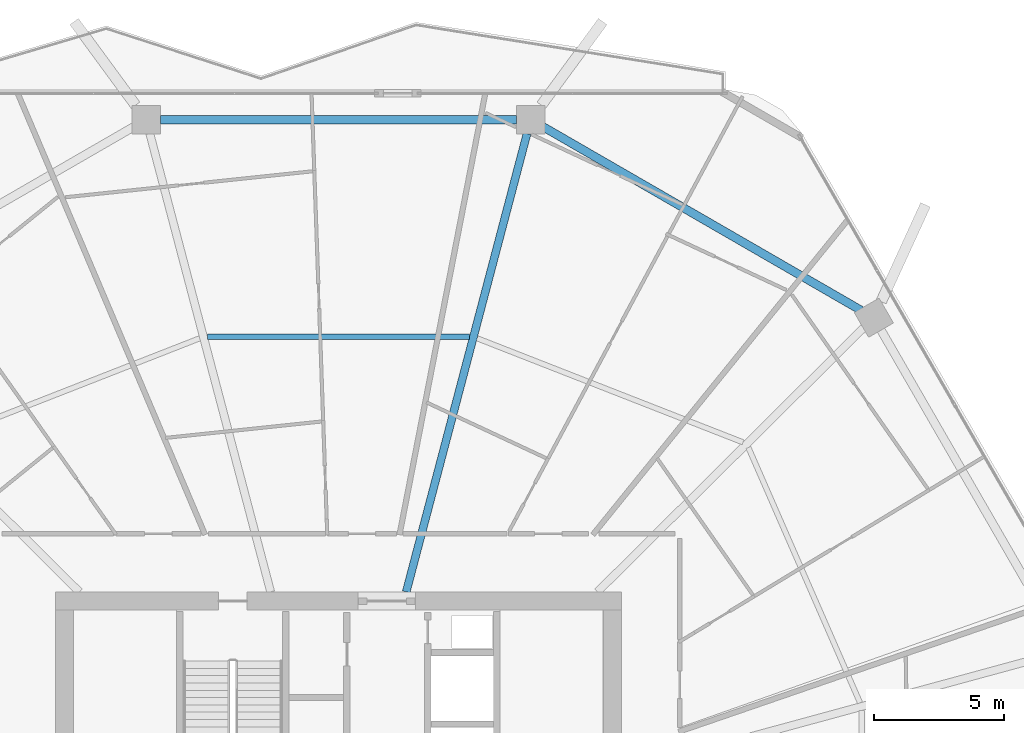
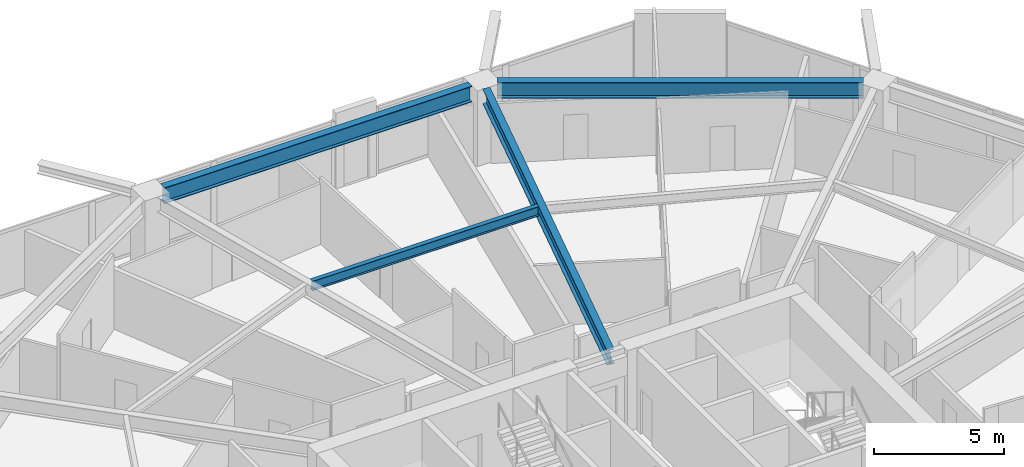
# One storey, part 19 of 33: 4 beams.
"""IFC4 building model written with IfcOpenShell, lengths in metres."""

import ifcopenshell
import ifcopenshell.guid

model = None  # the IFC model being written
_history = None  # IfcOwnerHistory: only IFC2X3 demands one
_inside = {}  # id of a spatial element -> (the spatial element, [elements in it])
_under = {}  # id of a project, library or spatial element -> (it, [spatial elements below it])
_declared = {}  # id of a project -> (the project, [libraries it declares])
_typed = {}  # id of a type object -> (the type object, [elements of that type])
_made_of = {}  # id of a material, layer set ... -> (it, [elements and type objects made of it])


def new_model(schema):
    """Start an empty IFC model of exactly this schema.

    Asked for "IFC4X3", IfcOpenShell would pick the latest addendum, in which some entities
    have other attributes; the version numbers below select the first issue.
    IFC2X3 requires an IfcOwnerHistory on every rooted entity: one is made here for all.
    """
    global model, _history
    if schema == "IFC4X3":
        model = ifcopenshell.file(schema_version=(4, 3, 0, 0))
    else:
        model = ifcopenshell.file(schema=schema)
    _inside.clear()
    _under.clear()
    _declared.clear()
    _typed.clear()
    _made_of.clear()
    _history = None
    if model.schema == "IFC2X3":
        org = make("IfcOrganization", Name="unknown")
        user = make(
            "IfcPersonAndOrganization",
            ThePerson=make("IfcPerson", FamilyName="unknown"),
            TheOrganization=org,
        )
        app = make(
            "IfcApplication",
            ApplicationDeveloper=org,
            Version="unknown",
            ApplicationFullName="unknown",
            ApplicationIdentifier="unknown",
        )
        _history = make(
            "IfcOwnerHistory",
            OwningUser=user,
            OwningApplication=app,
            ChangeAction="ADDED",
            CreationDate=0,
        )
    return model


def make(cls, **values):
    """One entity of the class cls with the attributes given. An attribute that is None is left unset."""
    return model.create_entity(
        cls, **{name: value for name, value in values.items() if value is not None}
    )


def rooted(cls, **values):
    """An entity with a GlobalId (a new one), such as an element, a storey or a relation."""
    return make(cls, GlobalId=ifcopenshell.guid.new(), OwnerHistory=_history, **values)


def si_unit(unit_type, name, prefix=None):
    """IfcSIUnit, for example si_unit("LENGTHUNIT", "METRE", prefix="MILLI")."""
    return make("IfcSIUnit", UnitType=unit_type, Prefix=prefix, Name=name)


def assignment(units):
    """IfcUnitAssignment: the units of a project."""
    return None if units is None else make("IfcUnitAssignment", Units=units)


def point(xyz):
    """IfcCartesianPoint."""
    return None if xyz is None else make("IfcCartesianPoint", Coordinates=xyz)


def direction(xyz):
    """IfcDirection."""
    return None if xyz is None else make("IfcDirection", DirectionRatios=xyz)


def frame(location, z_axis=None, x_axis=None):
    """IfcAxis2Placement3D, a coordinate frame: its origin and axes. An axis left out is left unset."""
    return make(
        "IfcAxis2Placement3D",
        Location=point(location),
        Axis=direction(z_axis),
        RefDirection=direction(x_axis),
    )


def frame_2d(location, x_axis=None):
    """IfcAxis2Placement2D, a coordinate frame in the plane: its origin and x axis."""
    return make(
        "IfcAxis2Placement2D", Location=point(location), RefDirection=direction(x_axis)
    )


def origin():
    """The frame at (0, 0, 0) with its axes left unset."""
    return frame((0.0, 0.0, 0.0))


def origin_2d():
    """The frame at (0, 0) in the plane with its x axis left unset."""
    return frame_2d((0.0, 0.0))


def place(relative_to, where):
    """IfcLocalPlacement: puts the frame where relative to a parent placement (None: the world)."""
    return make(
        "IfcLocalPlacement", PlacementRelTo=relative_to, RelativePlacement=where
    )


def context(
    kind, dimensions, precision=None, world=None, true_north=None, identifier=None
):
    """IfcGeometricRepresentationContext, for example the 3D "Model" context."""
    return make(
        "IfcGeometricRepresentationContext",
        ContextIdentifier=identifier,
        ContextType=kind,
        CoordinateSpaceDimension=dimensions,
        Precision=precision,
        WorldCoordinateSystem=world,
        TrueNorth=true_north,
    )


def subcontext(parent, identifier, kind, view, scale=None):
    """IfcGeometricRepresentationSubContext, for example "Body" below "Model"."""
    return make(
        "IfcGeometricRepresentationSubContext",
        ContextIdentifier=identifier,
        ContextType=kind,
        ParentContext=parent,
        TargetScale=scale,
        TargetView=view,
    )


def project(units=None, contexts=None):
    """IfcProject with its units and contexts."""
    return rooted(
        "IfcProject",
        Name="project",
        RepresentationContexts=contexts,
        UnitsInContext=assignment(units),
    )


def spatial(cls, under=None, at=None, **own):
    """A site, building, storey or space (cls), placed at a placement, below another one or the project."""
    s = rooted(cls, ObjectPlacement=at, **own)
    if under is not None:
        _under.setdefault(under.id(), (under, []))[1].append(s)
    return s


def profile(cls, at=None, kind="AREA", **sizes):
    """A parametric profile (cls). Its sizes go by their IFC names, for example OverallWidth=200.0."""
    return make(cls, ProfileType=kind, Position=at, **sizes)


def i_section(**sizes):
    """IfcIShapeProfileDef."""
    return profile("IfcIShapeProfileDef", **sizes)


def extrude(swept, where, along, depth):
    """IfcExtrudedAreaSolid: the profile swept, set in the frame where, extruded along a direction by depth."""
    return make(
        "IfcExtrudedAreaSolid",
        SweptArea=swept,
        Position=where,
        ExtrudedDirection=direction(along),
        Depth=depth,
    )


def shape(context_of_items, identifier, shape_type, items):
    """IfcShapeRepresentation: the items that make up one representation, for example the "Body"."""
    return make(
        "IfcShapeRepresentation",
        ContextOfItems=context_of_items,
        RepresentationIdentifier=identifier,
        RepresentationType=shape_type,
        Items=items,
    )


def material(Name=None, Category=None):
    """IfcMaterial."""
    return make("IfcMaterial", Name=Name, Category=Category)


def material_profile(
    of_material, cross_section, Name=None, Category=None, Priority=None
):
    """IfcMaterialProfile: a cross section and its material."""
    return make(
        "IfcMaterialProfile",
        Name=Name,
        Material=of_material,
        Profile=cross_section,
        Priority=Priority,
        Category=Category,
    )


def profile_set(profiles, Name=None, composite=None):
    """IfcMaterialProfileSet."""
    return make(
        "IfcMaterialProfileSet",
        Name=Name,
        MaterialProfiles=profiles,
        CompositeProfile=composite,
    )


def made_of(thing, what):
    """Note that an element or type object is made of a material, layer set ...; save() writes the relation."""
    if what is not None:
        _made_of.setdefault(what.id(), (what, []))[1].append(thing)
    return thing


def type_object(cls, material=None, **own):
    """A type object (cls), such as IfcWallType, which elements share."""
    return made_of(rooted(cls, **own), material)


def element(
    cls,
    number,
    at=None,
    inside=None,
    cuts=None,
    type_object=None,
    material=None,
    context=None,
    identifier="Body",
    shape_type=None,
    held_by="IfcProductDefinitionShape",
    body=None,
    shapes=None,
    **own,
):
    """One element of the class cls, such as IfcWall. Its Tag is "e" and its number.

    at: its placement. inside: the storey or other place that contains it. cuts: it is an
    opening in that element (IfcRelVoidsElement). A single representation is given by context,
    identifier, shape_type and body (its items); several are given by shapes. held_by: the class
    of the entity that holds the representations. save() writes the other relations.
    """
    e = rooted(cls, Tag="e%d" % number, ObjectPlacement=at, **own)
    if body is not None:
        shapes = [shape(context, identifier, shape_type, body)]
    if shapes is not None:
        e.Representation = make(held_by, Representations=shapes)
    if inside is not None:
        _inside.setdefault(inside.id(), (inside, []))[1].append(e)
    if cuts is not None:
        rooted(
            "IfcRelVoidsElement", RelatingBuildingElement=cuts, RelatedOpeningElement=e
        )
    if type_object is not None:
        _typed.setdefault(type_object.id(), (type_object, []))[1].append(e)
    return made_of(e, material)


def aggregate(whole, parts):
    """IfcRelAggregates: a whole, such as a stair, and the parts it consists of."""
    return rooted("IfcRelAggregates", RelatingObject=whole, RelatedObjects=parts)


def save(model, path):
    """Write the relations noted so far, then the file.

    IfcRelAggregates (storeys below a building ...), IfcRelContainedInSpatialStructure (elements
    in a storey), IfcRelDefinesByType, IfcRelAssociatesMaterial and IfcRelDeclares: one each for
    every whole, place, type object, material and project.
    """
    for whole, parts in _under.values():
        aggregate(whole, parts)
    for where, things in _inside.values():
        rooted(
            "IfcRelContainedInSpatialStructure",
            RelatedElements=things,
            RelatingStructure=where,
        )
    for kind, things in _typed.values():
        rooted("IfcRelDefinesByType", RelatedObjects=things, RelatingType=kind)
    for what, things in _made_of.values():
        rooted("IfcRelAssociatesMaterial", RelatedObjects=things, RelatingMaterial=what)
    for by, libraries in _declared.values():
        rooted("IfcRelDeclares", RelatingContext=by, RelatedDefinitions=libraries)
    model.write(path)


model = new_model("IFC4")

# Units and contexts
model_context = context("Model", 3, precision=1e-05, world=origin(), true_north=direction((0.0, 1.0)))
body_context = subcontext(model_context, "Body", "Model", "MODEL_VIEW")
ifc_project = project(units=[si_unit("LENGTHUNIT", "METRE"), si_unit("AREAUNIT", "SQUARE_METRE"), si_unit("VOLUMEUNIT", "CUBIC_METRE"), si_unit("PLANEANGLEUNIT", "RADIAN"), si_unit("MASSUNIT", "GRAM", prefix="KILO")], contexts=[model_context])

# Site, building, storey
site_placement = place(None, origin())
site = spatial("IfcSite", under=ifc_project, at=site_placement, CompositionType="ELEMENT")
building_placement = place(site_placement, origin())
building = spatial("IfcBuilding", under=site, at=building_placement, Name="Zuhravey Tower", CompositionType="ELEMENT")
storey_placement = place(building_placement, frame((0.0, 0.0, 103.800048828125)))
storey = spatial("IfcBuildingStorey", under=building, at=storey_placement, Name="L25", CompositionType="ELEMENT", Elevation=103.800048828125)

# Beams
ifc_material = material(Name="Steel SM355", Category="steel")
ifc_material_profile_1 = material_profile(ifc_material, i_section(OverallWidth=0.320068359375, OverallDepth=0.75, WebThickness=0.013916015625, FlangeThickness=0.02490234375, at=origin_2d()), Name="H-750x320x14x25")
ifc_profile_set_1 = profile_set([ifc_material_profile_1], Name="Steel SM355")
beam_type_1 = type_object("IfcBeamType", Name="Perimeter Ring Beam H750x320", PredefinedType="BEAM", material=ifc_profile_set_1)
beam_1_placement = place(storey_placement, frame((56.0400390625, 52.63330078125, 3.175048828125), z_axis=(-0.866017786538, 0.500013193225, 0.0), x_axis=(-0.500013193225, -0.866017786538, 0.0)))
element("IfcBeam", 1, at=beam_1_placement, inside=storey, type_object=beam_type_1, Name="L25 PB1 BM-L25-PB-02", PredefinedType="BEAM", context=body_context, shape_type="SweptSolid", body=[
    extrude(i_section(OverallWidth=0.320068359375, OverallDepth=0.75, WebThickness=0.013916015625, FlangeThickness=0.02490234375, at=origin_2d()), origin(), (0.0, 0.0, 1.0), 14.0771484375),
])
beam_2_placement = place(storey_placement, frame((42.81689453125, 59.948486328125, 3.175048828125), z_axis=(-1.0, 0.0, 0.0), x_axis=(0.0, -1.0, 0.0)))
element("IfcBeam", 2, at=beam_2_placement, inside=storey, type_object=beam_type_1, Name="L25 PB1 BM-L25-PB-03", PredefinedType="BEAM", context=body_context, shape_type="SweptSolid", body=[
    extrude(i_section(OverallWidth=0.320068359375, OverallDepth=0.75, WebThickness=0.013916015625, FlangeThickness=0.02490234375, at=origin_2d()), origin(), (0.0, 0.0, 1.0), 13.6337890625),
])
ifc_material_profile_2 = material_profile(ifc_material, i_section(OverallWidth=0.300048828125, OverallDepth=0.699951171875, WebThickness=0.012939453125, FlangeThickness=0.02392578125, at=origin_2d()), Name="H-700x300x13x24")
ifc_profile_set_2 = profile_set([ifc_material_profile_2], Name="Steel SM355")
beam_type_2 = type_object("IfcBeamType", Name="Radial Primary Girder H700x300", PredefinedType="BEAM", material=ifc_profile_set_2)
beam_3_placement = place(storey_placement, frame((38.59814453125, 41.85302734375, 3.199951171875), z_axis=(0.25498755891, 0.966944333869, 0.0), x_axis=(-0.966944333869, 0.25498755891, 0.0)))
element("IfcBeam", 3, at=beam_3_placement, inside=storey, type_object=beam_type_2, Name="L25 RG1 BM-L25-RAD-03", PredefinedType="BEAM", context=body_context, shape_type="SweptSolid", body=[
    extrude(i_section(OverallWidth=0.300048828125, OverallDepth=0.699951171875, WebThickness=0.012939453125, FlangeThickness=0.02392578125, at=origin_2d()), origin(), (0.0, 0.0, 1.0), 18.1611328125),
])
ifc_material_profile_3 = material_profile(ifc_material, i_section(OverallWidth=0.199951171875, OverallDepth=0.449951171875, WebThickness=0.009033203125, FlangeThickness=0.013916015625, at=origin_2d()), Name="H-450x200x9x14")
ifc_profile_set_3 = profile_set([ifc_material_profile_3], Name="Steel SM355")
beam_type_3 = type_object("IfcBeamType", Name="Secondary Floor Joist H450x200", PredefinedType="JOIST", material=ifc_profile_set_3)
beam_4_placement = place(storey_placement, frame((41.02099609375, 51.62451171875, 3.324951171875), z_axis=(-1.0, 0.0, 0.0), x_axis=(0.0, -1.0, 0.0)))
element("IfcBeam", 4, at=beam_4_placement, inside=storey, type_object=beam_type_3, Name="L25 SJ1 BM-L25-SJ-03-1", PredefinedType="JOIST", context=body_context, shape_type="SweptSolid", body=[
    extrude(i_section(OverallWidth=0.199951171875, OverallDepth=0.449951171875, WebThickness=0.009033203125, FlangeThickness=0.013916015625, at=origin_2d()), origin(), (0.0, 0.0, 1.0), 10.0419921875),
])

save(model, "model.ifc")
